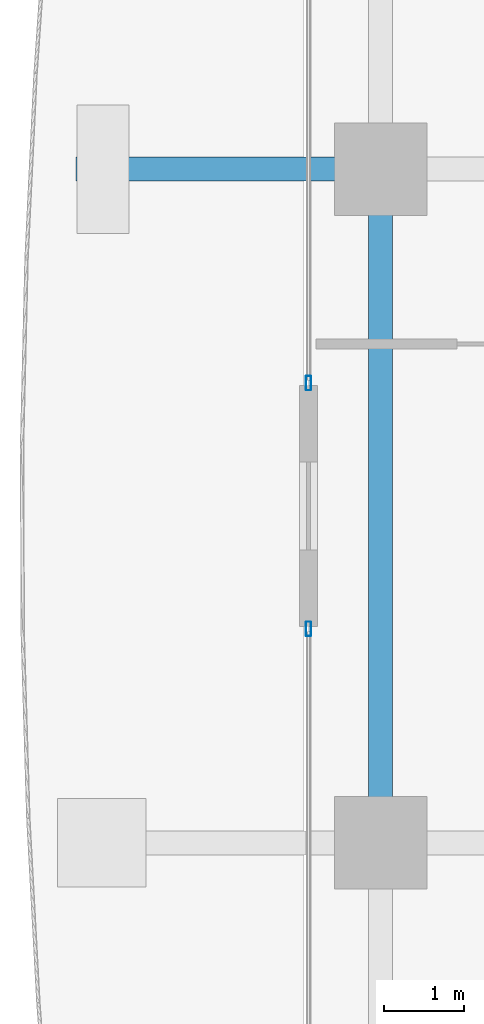
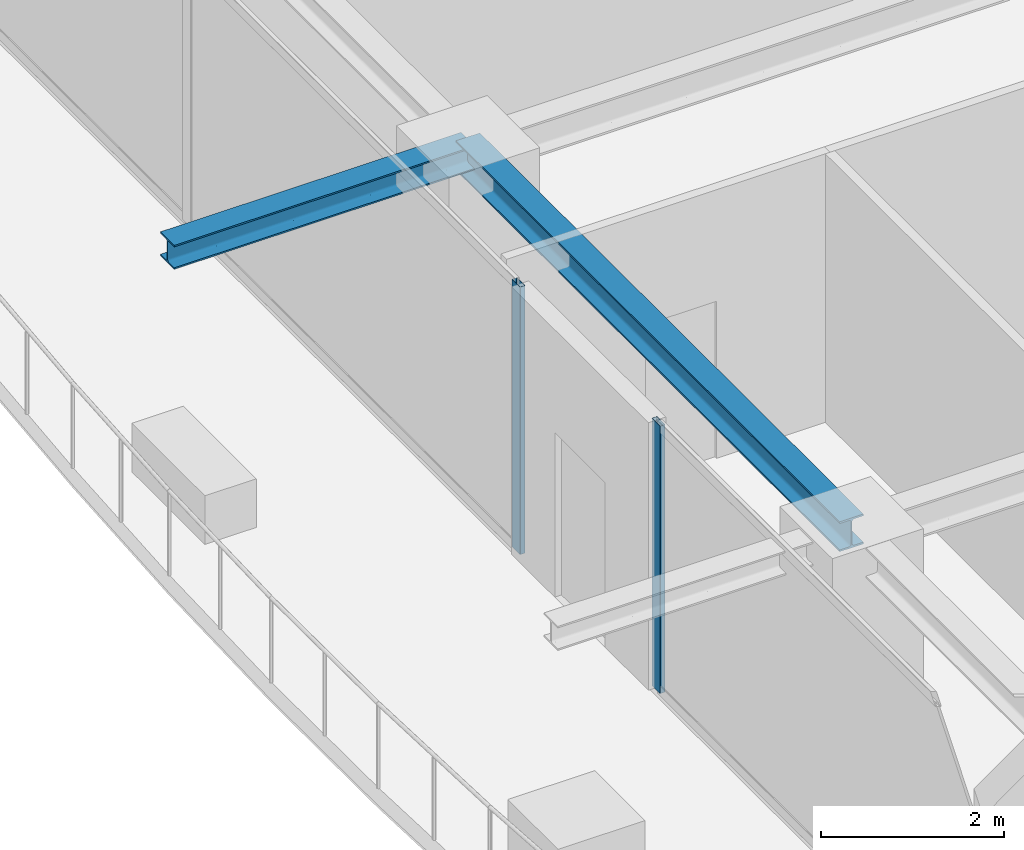
# One storey, part 9 of 35: 2 beams, 2 members, 2 elements without a shape of their own.
"""IFC4 building model written with IfcOpenShell, lengths in metres."""

from ifc_helpers import new_model, si_unit, direction, frame, origin, origin_2d, place, context, subcontext, project, spatial, hollow_rectangle, i_section, extrude, source, transform, mapped, material, layer, layer_set, material_profile, profile_set, type_object, element, aggregate, save


model = new_model("IFC4")

# Units and contexts
model_context = context("Model", 3, precision=1e-05, world=origin(), true_north=direction((0.0, 1.0)))
body_context = subcontext(model_context, "Body", "Model", "MODEL_VIEW")
ifc_project = project(units=[si_unit("LENGTHUNIT", "METRE"), si_unit("AREAUNIT", "SQUARE_METRE"), si_unit("VOLUMEUNIT", "CUBIC_METRE"), si_unit("PLANEANGLEUNIT", "RADIAN"), si_unit("MASSUNIT", "GRAM", prefix="KILO")], contexts=[model_context])

# Site, building, storey
site_placement = place(None, origin())
site = spatial("IfcSite", under=ifc_project, at=site_placement, CompositionType="ELEMENT")
building_placement = place(site_placement, origin())
building = spatial("IfcBuilding", under=site, at=building_placement, Name="Serunith Strait Residences", CompositionType="ELEMENT")
storey_placement = place(building_placement, frame((0.0, 0.0, 214.300048828125)))
storey = spatial("IfcBuildingStorey", under=building, at=storey_placement, Name="L53", CompositionType="ELEMENT", Elevation=214.300048828125)

# Beams
ifc_material_1 = material(Name="Steel S355J2", Category="steel")
ifc_material_profile_1 = material_profile(ifc_material_1, i_section(OverallWidth=0.300048828125, OverallDepth=0.39990234375, WebThickness=0.013427734375, FlangeThickness=0.02392578125, FilletRadius=0.027099609375, at=origin_2d()), Name="HEB 400")
ifc_profile_set_1 = profile_set([ifc_material_profile_1], Name="Steel S355J2")
beam_type_1 = type_object("IfcBeamType", Name="BM-HEB400", PredefinedType="BEAM", material=ifc_profile_set_1)
shared_shape_1 = source(origin(), body_context, "Body", "SweptSolid", [
    extrude(i_section(OverallWidth=0.300048828125, OverallDepth=0.39990234375, WebThickness=0.013427734375, FlangeThickness=0.02392578125, FilletRadius=0.027099609375, at=origin_2d()), origin(), (0.0, 0.0, 1.0), 8.39990234375),
])
beam_1_placement = place(storey_placement, frame((8.300048828125, 29.39990234375, 3.386962890625), z_axis=(0.0, -1.0, 0.0), x_axis=(1.0, 0.0, 0.0)))
element("IfcBeam", 1, at=beam_1_placement, inside=storey, type_object=beam_type_1, Name="L53 Perimeter Ring Beam 14", PredefinedType="BEAM", context=body_context, shape_type="MappedRepresentation", body=[
    mapped(shared_shape_1, transform((0.0, 0.0, 0.0), scale=1.0)),
])
ifc_material_profile_2 = material_profile(ifc_material_1, i_section(OverallWidth=0.300048828125, OverallDepth=0.320068359375, WebThickness=0.011474609375, FlangeThickness=0.0205078125, FilletRadius=0.027099609375, at=origin_2d()), Name="HEB 320")
ifc_profile_set_2 = profile_set([ifc_material_profile_2], Name="Steel S355J2")
beam_type_2 = type_object("IfcBeamType", Name="BM-HEB320", PredefinedType="BEAM", material=ifc_profile_set_2)
shared_shape_2 = source(origin(), body_context, "Body", "SweptSolid", [
    extrude(i_section(OverallWidth=0.300048828125, OverallDepth=0.320068359375, WebThickness=0.011474609375, FlangeThickness=0.0205078125, FilletRadius=0.027099609375, at=origin_2d()), origin(), (0.0, 0.0, 1.0), 3.800048828125),
])
beam_2_placement = place(storey_placement, frame((8.300048828125, 29.39990234375, 3.39697265625), z_axis=(-1.0, 0.0, 0.0), x_axis=(0.0, -1.0, 0.0)))
element("IfcBeam", 2, at=beam_2_placement, inside=storey, type_object=beam_type_2, Name="L54 Cantilevered Balcony Rib TC-W3", PredefinedType="BEAM", context=body_context, shape_type="MappedRepresentation", body=[
    mapped(shared_shape_2, transform((0.0, 0.0, 0.0), scale=1.0)),
])

# Curtain wall, member
ifc_material_2 = material(Name="Pale-Champagne Anodised Aluminium", Category="aluminium")
ifc_layer = layer(ifc_material_2, 0.199951171875, Name="Pale-Champagne Anodised Aluminium")
ifc_layer_set = layer_set([ifc_layer], Name="Pale-Champagne Anodised Aluminium")
curtain_wall_type = type_object("IfcCurtainWallType", Name="CW-SYS4", PredefinedType="NOTDEFINED", material=ifc_layer_set)
curtain_wall_1_placement = place(storey_placement, origin())
curtain_wall_1 = element("IfcCurtainWall", 3, at=curtain_wall_1_placement, inside=storey, type_object=curtain_wall_type, Name="L53 W Unitised Fritted Curtain Wall", PredefinedType="NOTDEFINED")
ifc_material_profile_3 = material_profile(ifc_material_2, hollow_rectangle(XDim=0.06494140625, YDim=0.179931640625, WallThickness=0.00341796875, InnerFilletRadius=0.00537109375, OuterFilletRadius=0.0087890625, at=origin_2d()), Name="ALU 180x65x3.5")
ifc_profile_set_3 = profile_set([ifc_material_profile_3], Name="Pale-Champagne Anodised Aluminium")
member_type = type_object("IfcMemberType", Name="CW-SYS4-MULL", PredefinedType="MULLION", material=ifc_profile_set_3)
shared_shape_3 = source(origin(), body_context, "Body", "SweptSolid", [
    extrude(hollow_rectangle(XDim=0.06494140625, YDim=0.179931640625, WallThickness=0.00341796875, InnerFilletRadius=0.00537109375, OuterFilletRadius=0.0087890625, at=origin_2d()), origin(), (0.0, 0.0, 1.0), 3.574951171875),
])
member_1_placement = place(storey_placement, frame((7.39990234375, 26.732421875, 0.0), z_axis=(0.0, 0.0, 1.0), x_axis=(1.0, 0.0, 0.0)))
member_1 = element("IfcMember", 4, at=member_1_placement, type_object=member_type, Name="CW-4 mullion 3", PredefinedType="MULLION", context=body_context, shape_type="MappedRepresentation", body=[
    mapped(shared_shape_3, transform((0.0, 0.0, 0.0), scale=1.0)),
])
aggregate(curtain_wall_1, [member_1])

curtain_wall_2_placement = place(storey_placement, origin())
curtain_wall_2 = element("IfcCurtainWall", 5, at=curtain_wall_2_placement, inside=storey, type_object=curtain_wall_type, Name="L53 W Unitised Fritted Curtain Wall", PredefinedType="NOTDEFINED")
member_2_placement = place(storey_placement, frame((7.39990234375, 23.66748046875, 0.0), z_axis=(0.0, 0.0, 1.0), x_axis=(1.0, 0.0, 0.0)))
member_2 = element("IfcMember", 6, at=member_2_placement, type_object=member_type, Name="CW-4 mullion 1", PredefinedType="MULLION", context=body_context, shape_type="MappedRepresentation", body=[
    mapped(shared_shape_3, transform((0.0, 0.0, 0.0), scale=1.0)),
])
aggregate(curtain_wall_2, [member_2])

save(model, "model.ifc")
